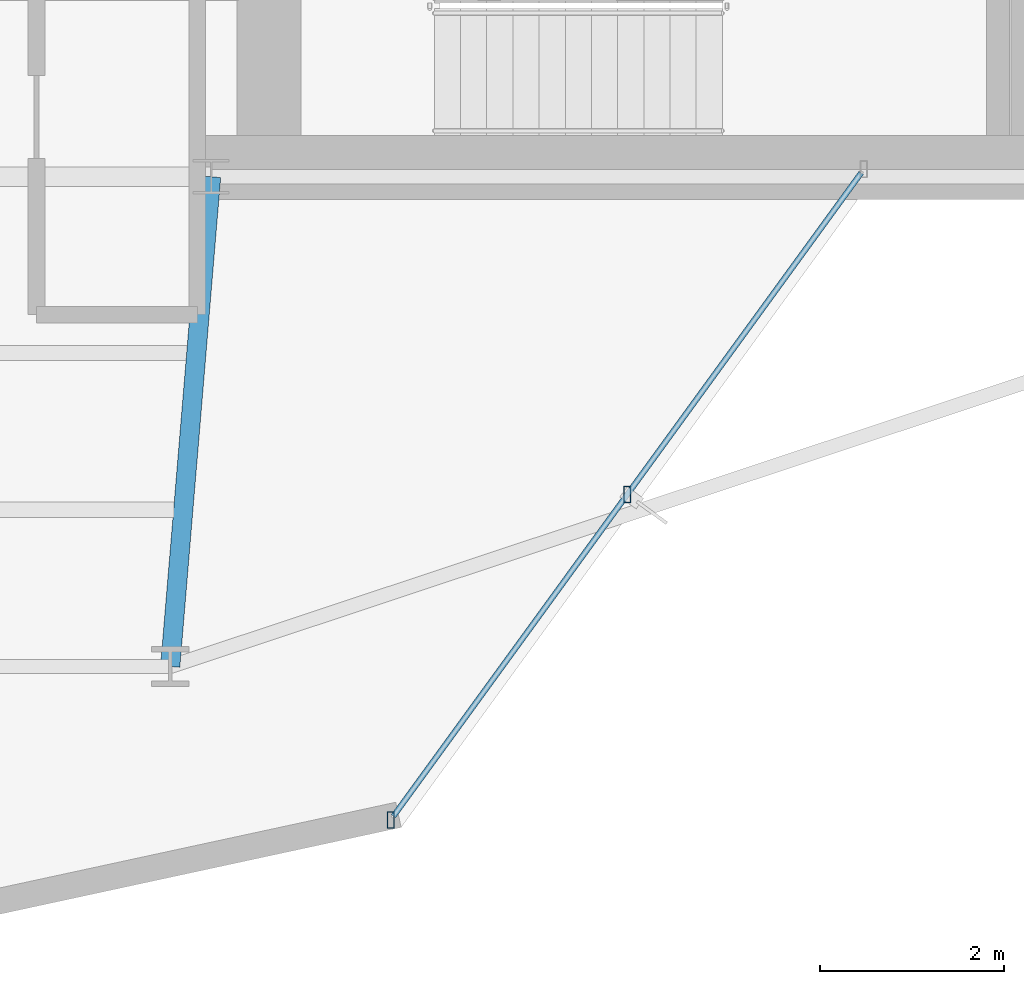
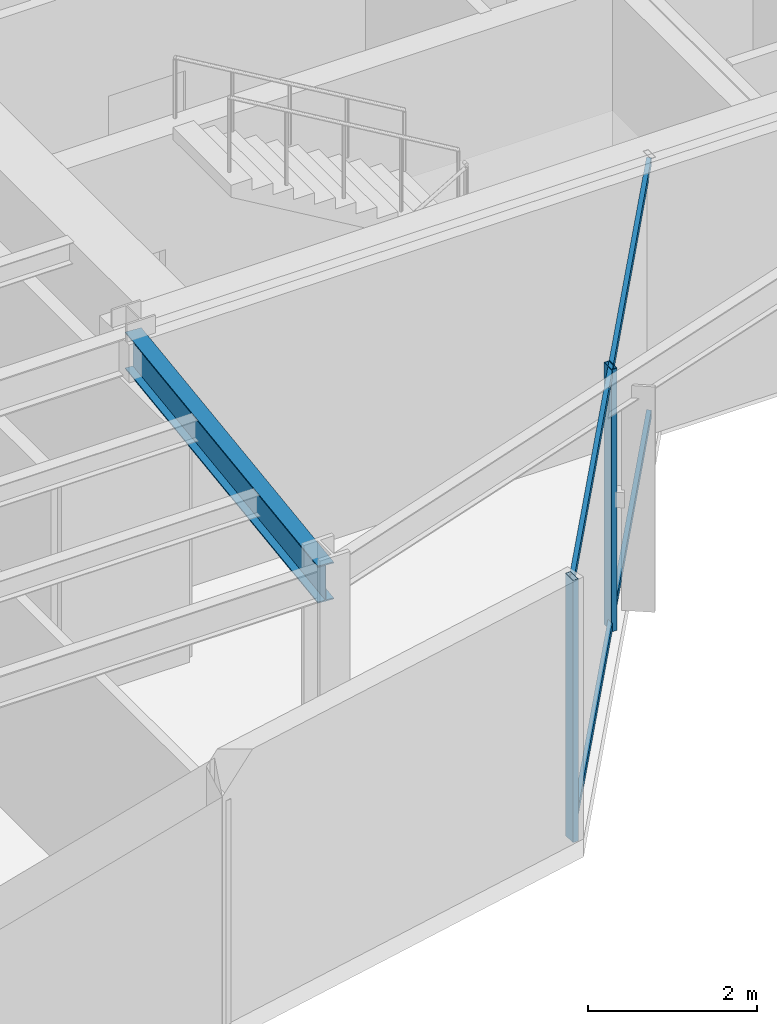
# One storey, part 6 of 21: 4 members, 1 beam, 1 element without a shape of its own.
"""IFC4 building model written with IfcOpenShell, lengths in metres."""

from ifc_helpers import new_model, si_unit, direction, frame, origin, origin_2d, place, context, subcontext, project, spatial, hollow_rectangle, i_section, extrude, material, layer, layer_set, material_profile, profile_set, type_object, element, aggregate, save


model = new_model("IFC4")

# Units and contexts
model_context = context("Model", 3, precision=1e-05, world=origin(), true_north=direction((0.0, 1.0)))
body_context = subcontext(model_context, "Body", "Model", "MODEL_VIEW")
ifc_project = project(units=[si_unit("LENGTHUNIT", "METRE"), si_unit("AREAUNIT", "SQUARE_METRE"), si_unit("VOLUMEUNIT", "CUBIC_METRE"), si_unit("PLANEANGLEUNIT", "RADIAN"), si_unit("MASSUNIT", "GRAM", prefix="KILO")], contexts=[model_context])

# Site, building, storey
site_placement = place(None, origin())
site = spatial("IfcSite", under=ifc_project, at=site_placement, CompositionType="ELEMENT")
building_placement = place(site_placement, origin())
building = spatial("IfcBuilding", under=site, at=building_placement, Name="Veymaron Broadcast Tower", CompositionType="ELEMENT")
storey_placement = place(building_placement, frame((0.0, 0.0, 228.300048828125)))
storey = spatial("IfcBuildingStorey", under=building, at=storey_placement, Name="L53", CompositionType="ELEMENT", Elevation=228.300048828125)

# Beam
ifc_material_1 = material(Name="Structural steel ASTM A992 Gr 50", Category="steel")
ifc_material_profile_1 = material_profile(ifc_material_1, i_section(OverallWidth=0.2099609375, OverallDepth=0.537109375, WebThickness=0.010986328125, FlangeThickness=0.017333984375, at=origin_2d()), Name="W530X101")
ifc_profile_set_1 = profile_set([ifc_material_profile_1], Name="Structural steel ASTM A992 Gr 50")
beam_type = type_object("IfcBeamType", Name="BM-FG3", PredefinedType="BEAM", material=ifc_profile_set_1)
beam_placement = place(storey_placement, frame((39.0, 16.0, 3.521484375), z_axis=(-0.083211691167, -0.996531893345, 0.0), x_axis=(0.996531893345, -0.083211691167, 0.0)))
element("IfcBeam", 1, at=beam_placement, inside=storey, type_object=beam_type, Name="L53 primary structural floor girder", PredefinedType="BEAM", context=body_context, shape_type="SweptSolid", body=[
    extrude(i_section(OverallWidth=0.2099609375, OverallDepth=0.537109375, WebThickness=0.010986328125, FlangeThickness=0.017333984375, at=origin_2d()), origin(), (0.0, 0.0, 1.0), 5.3486328125),
])

# Curtain wall, members
ifc_material_2 = material(Name="Anodised aluminium AA 6063-T6 and laminated low-E dark glass", Category="aluminium")
ifc_layer = layer(ifc_material_2, 0.179931640625)
ifc_layer_set = layer_set([ifc_layer], Name="Anodised aluminium AA 6063-T6 and laminated low-E dark glass")
curtain_wall_type = type_object("IfcCurtainWallType", Name="CW-SYS-05", PredefinedType="NOTDEFINED", material=ifc_layer_set)
curtain_wall_placement = place(storey_placement, origin())
curtain_wall = element("IfcCurtainWall", 2, at=curtain_wall_placement, inside=storey, type_object=curtain_wall_type, Name="L53 dark-glass curtain wall CW-L53-E20-1", PredefinedType="NOTDEFINED")
ifc_material_3 = material(Name="Anodised aluminium AA 6063-T6", Category="aluminium")
ifc_material_profile_2 = material_profile(ifc_material_3, hollow_rectangle(XDim=0.074951171875, YDim=0.179931640625, WallThickness=0.0048828125, at=origin_2d()), Name="AL180X75X5")
ifc_profile_set_2 = profile_set([ifc_material_profile_2], Name="Anodised aluminium AA 6063-T6")
member_type_1 = type_object("IfcMemberType", Name="CW-MUL-02", PredefinedType="MULLION", material=ifc_profile_set_2)
member_1_placement = place(storey_placement, frame((40.955322265625, 9.000244140625, 0.0), z_axis=(0.0, 0.0, 1.0), x_axis=(1.0, 0.0, 0.0)))
member_1 = element("IfcMember", 3, at=member_1_placement, type_object=member_type_1, Name="CW-L53-E20-1 mullion 0", PredefinedType="MULLION", context=body_context, shape_type="SweptSolid", body=[
    extrude(hollow_rectangle(XDim=0.074951171875, YDim=0.179931640625, WallThickness=0.0048828125, at=origin_2d()), origin(), (0.0, 0.0, 1.0), 3.7900390625),
])
member_2_placement = place(storey_placement, frame((43.5302734375, 12.541259765625, 0.0), z_axis=(0.0, 0.0, 1.0), x_axis=(1.0, 0.0, 0.0)))
member_2 = element("IfcMember", 4, at=member_2_placement, type_object=member_type_1, Name="CW-L53-E20-1 mullion 1", PredefinedType="MULLION", context=body_context, shape_type="SweptSolid", body=[
    extrude(hollow_rectangle(XDim=0.074951171875, YDim=0.179931640625, WallThickness=0.0048828125, at=origin_2d()), origin(), (0.0, 0.0, 1.0), 3.7900390625),
])
ifc_material_profile_3 = material_profile(ifc_material_3, hollow_rectangle(XDim=0.06005859375, YDim=0.1201171875, WallThickness=0.00390625, at=origin_2d()), Name="AL120X60X4")
ifc_profile_set_3 = profile_set([ifc_material_profile_3], Name="Anodised aluminium AA 6063-T6")
member_type_2 = type_object("IfcMemberType", Name="CW-TRN-02", PredefinedType="USERDEFINED", material=ifc_profile_set_3)
member_3_placement = place(storey_placement, frame((40.984619140625, 9.040771484375, 0.070068359375), z_axis=(0.588116357514, 0.808776328798, 0.0), x_axis=(-0.808776328798, 0.588116357514, 0.0)))
member_3 = element("IfcMember", 5, at=member_3_placement, type_object=member_type_2, Name="CW-L53-E20-1 transom B", ObjectType="TRANSOM", PredefinedType="USERDEFINED", context=body_context, shape_type="SweptSolid", body=[
    extrude(hollow_rectangle(XDim=0.06005859375, YDim=0.1201171875, WallThickness=0.00390625, at=origin_2d()), origin(), (0.0, 0.0, 1.0), 8.656494140625),
])
member_4_placement = place(storey_placement, frame((40.984619140625, 9.040771484375, 3.719970703125), z_axis=(0.588116357514, 0.808776328798, 0.0), x_axis=(-0.808776328798, 0.588116357514, 0.0)))
member_4 = element("IfcMember", 6, at=member_4_placement, type_object=member_type_2, Name="CW-L53-E20-1 transom T", ObjectType="TRANSOM", PredefinedType="USERDEFINED", context=body_context, shape_type="SweptSolid", body=[
    extrude(hollow_rectangle(XDim=0.06005859375, YDim=0.1201171875, WallThickness=0.00390625, at=origin_2d()), origin(), (0.0, 0.0, 1.0), 8.656494140625),
])
aggregate(curtain_wall, [member_1, member_2, member_3, member_4])

save(model, "model.ifc")
